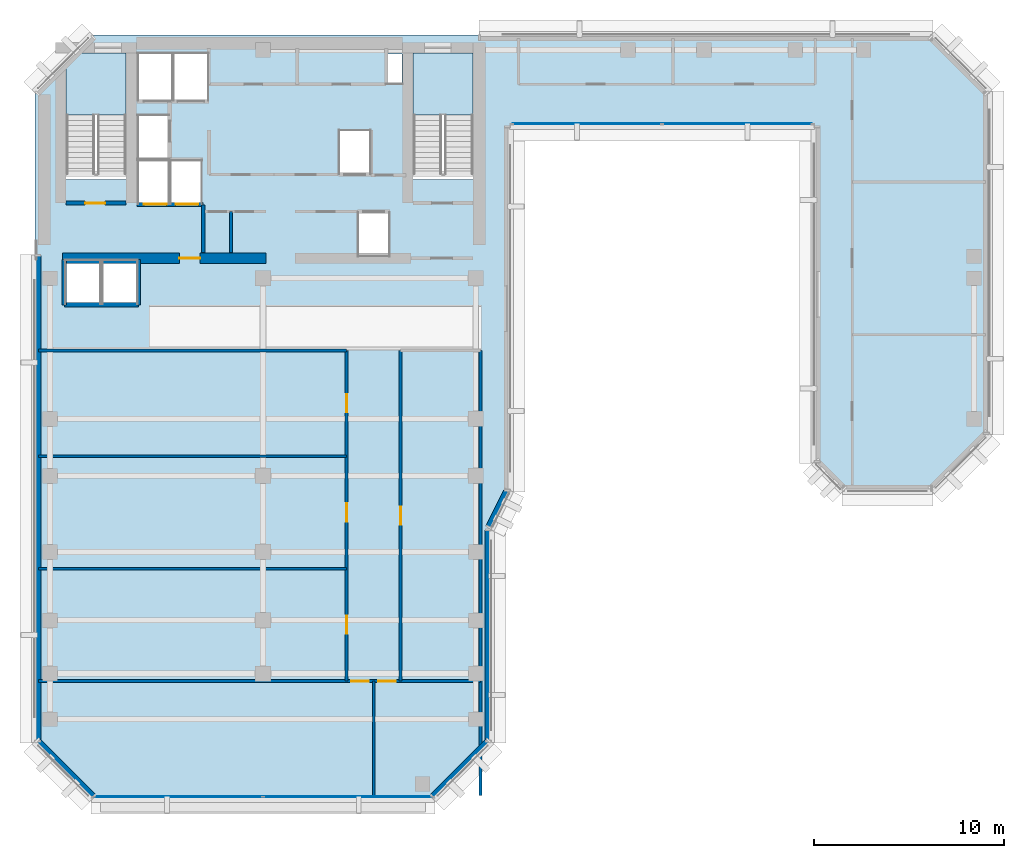
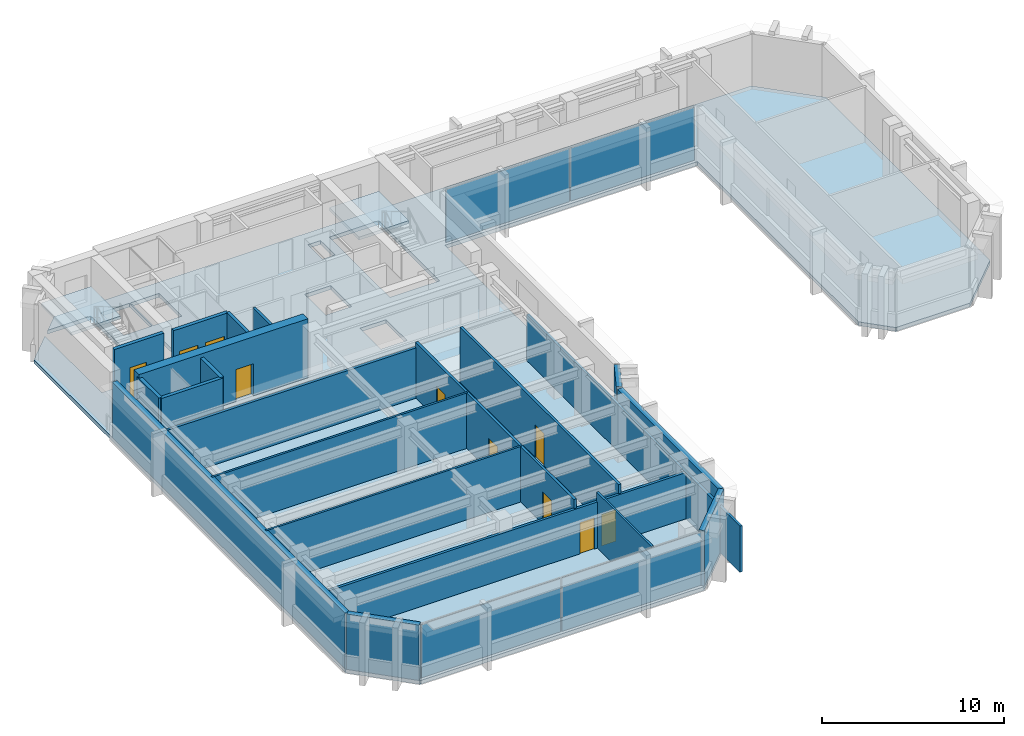
# One storey, part 5 of 11: 21 walls, 10 doors, 4 plates, 3 slabs, 10 openings, 4 elements without a shape of their own.
"""IFC4 building model written with IfcOpenShell, lengths in metres."""

from ifc_helpers import new_model, si_unit, direction, frame, frame_2d, origin, origin_2d, place, context, subcontext, project, spatial, polyline, rectangle, outline, extrude, material, layer, layer_set, type_object, element, fill, aggregate, save


model = new_model("IFC4")

# Units and contexts
model_context = context("Model", 3, precision=1e-05, world=origin(), true_north=direction((0.0, 1.0)))
body_context = subcontext(model_context, "Body", "Model", "MODEL_VIEW")
ifc_project = project(units=[si_unit("LENGTHUNIT", "METRE"), si_unit("AREAUNIT", "SQUARE_METRE"), si_unit("VOLUMEUNIT", "CUBIC_METRE"), si_unit("PLANEANGLEUNIT", "RADIAN"), si_unit("MASSUNIT", "GRAM", prefix="KILO")], contexts=[model_context])

# Site, building, storey
site_placement = place(None, origin())
site = spatial("IfcSite", under=ifc_project, at=site_placement, CompositionType="ELEMENT")
building_placement = place(site_placement, origin())
building = spatial("IfcBuilding", under=site, at=building_placement, Name="Kefirva Bronze Tower", CompositionType="ELEMENT")
storey_placement = place(building_placement, frame((0.0, 0.0, 223.739990234375)))
storey = spatial("IfcBuildingStorey", under=building, at=storey_placement, Name="L54", CompositionType="ELEMENT", Elevation=223.739990234375)

# Stair, slab
ifc_material_1 = material(Name="Concrete C40/50", Category="concrete")
stair_type = type_object("IfcStairType", Name="RC Dogleg Protected Stair 24R", PredefinedType="HALF_TURN_STAIR", material=ifc_material_1)
stair_1_placement = place(storey_placement, origin())
stair_1 = element("IfcStair", 1, at=stair_1_placement, inside=storey, type_object=stair_type, Name="L54 Protected Exit Stair 1", PredefinedType="HALF_TURN_STAIR")
ifc_layer_1 = layer(ifc_material_1, 0.199951171875, Name="Concrete C40/50")
ifc_layer_set_1 = layer_set([ifc_layer_1], Name="Concrete C40/50")
slab_type_1 = type_object("IfcSlabType", Name="RC Stair Landing Slab 200mm", PredefinedType="LANDING", material=ifc_layer_set_1)
slab_1_placement = place(storey_placement, frame((0.0, 0.0, 1.780029296875)))
slab_1 = element("IfcSlab", 2, at=slab_1_placement, type_object=slab_type_1, Name="ST-1 landing 1", PredefinedType="LANDING", context=body_context, shape_type="SweptSolid", body=[
    extrude(outline(polyline([(4.800048828125, 41.780029296875), (4.800048828125, 45.050048828125), (1.64990234375, 45.050048828125), (1.64990234375, 41.780029296875), (4.800048828125, 41.780029296875)])), origin(), (0.0, 0.0, 1.0), 0.199951171875),
])
aggregate(stair_1, [slab_1])

stair_2_placement = place(storey_placement, origin())
stair_2 = element("IfcStair", 3, at=stair_2_placement, inside=storey, type_object=stair_type, Name="L54 Protected Exit Stair 2", PredefinedType="HALF_TURN_STAIR")
slab_2_placement = place(storey_placement, frame((0.0, 0.0, 1.780029296875)))
slab_2 = element("IfcSlab", 4, at=slab_2_placement, type_object=slab_type_1, Name="ST-2 landing 1", PredefinedType="LANDING", context=body_context, shape_type="SweptSolid", body=[
    extrude(outline(polyline([(23.050048828125, 41.780029296875), (23.050048828125, 45.050048828125), (19.89990234375, 45.050048828125), (19.89990234375, 41.780029296875), (23.050048828125, 41.780029296875)])), origin(), (0.0, 0.0, 1.0), 0.199951171875),
])
aggregate(stair_2, [slab_2])

# Slab
ifc_layer_2 = layer(ifc_material_1, 0.25, Name="Concrete C40/50")
ifc_layer_set_2 = layer_set([ifc_layer_2], Name="Concrete C40/50")
slab_type_2 = type_object("IfcSlabType", Name="RC Tower Floor Slab 250mm", PredefinedType="FLOOR", material=ifc_layer_set_2)
slab_3_placement = place(storey_placement, frame((0.0, 0.0, -0.25)))
element("IfcSlab", 5, at=slab_3_placement, inside=storey, type_object=slab_type_2, Name="L54 Structural Floor Slab", PredefinedType="FLOOR", context=body_context, shape_type="SweptSolid", body=[
    extrude(outline(polyline([(0.0, 8.800048828125), (0.0, 43.0), (1.64990234375, 44.64990234375), (1.64990234375, 38.39990234375), (4.800048828125, 38.39990234375), (4.800048828125, 45.050048828125), (2.050048828125, 45.050048828125), (3.0, 46.0), (47.199951171875, 46.0), (50.199951171875, 43.0), (50.199951171875, 25.0), (47.199951171875, 22.0), (42.5, 22.0), (41.0, 23.5), (41.0, 41.199951171875), (25.0, 41.199951171875), (25.0, 22.0), (24.0, 20.0), (24.0, 8.800048828125), (21.0, 5.800048828125), (3.0, 5.800048828125), (0.0, 8.800048828125)]), holes=[polyline([(23.050048828125, 45.050048828125), (19.89990234375, 45.050048828125), (19.89990234375, 38.39990234375), (23.050048828125, 38.39990234375), (23.050048828125, 45.050048828125)]), polyline([(19.320068359375, 43.419921875), (19.320068359375, 45.0), (18.52001953125, 45.0), (18.52001953125, 43.419921875), (19.320068359375, 43.419921875)]), polyline([(18.64990234375, 36.64990234375), (17.0, 36.64990234375), (17.0, 34.35009765625), (18.64990234375, 34.35009765625), (18.64990234375, 36.64990234375)]), polyline([(17.64990234375, 38.679931640625), (17.64990234375, 40.97998046875), (16.0, 40.97998046875), (16.0, 38.679931640625), (17.64990234375, 38.679931640625)]), polyline([(9.1201171875, 42.550048828125), (9.1201171875, 45.050048828125), (7.300048828125, 45.050048828125), (7.300048828125, 42.550048828125), (9.1201171875, 42.550048828125)]), polyline([(8.780029296875, 37.10009765625), (8.780029296875, 39.39990234375), (7.139892578125, 39.39990234375), (7.139892578125, 37.10009765625), (8.780029296875, 37.10009765625)]), polyline([(7.239990234375, 42.550048828125), (7.239990234375, 45.050048828125), (5.419921875, 45.050048828125), (5.419921875, 42.550048828125), (7.239990234375, 42.550048828125)]), polyline([(7.06005859375, 37.10009765625), (7.06005859375, 39.39990234375), (5.419921875, 39.39990234375), (5.419921875, 37.10009765625), (7.06005859375, 37.10009765625)]), polyline([(7.06005859375, 41.780029296875), (5.419921875, 41.780029296875), (5.419921875, 39.47998046875), (7.06005859375, 39.47998046875), (7.06005859375, 41.780029296875)]), polyline([(5.39990234375, 31.85009765625), (5.39990234375, 34.14990234375), (3.550048828125, 34.14990234375), (3.550048828125, 31.85009765625), (5.39990234375, 31.85009765625)]), polyline([(3.449951171875, 34.14990234375), (1.60009765625, 34.14990234375), (1.60009765625, 31.85009765625), (3.449951171875, 31.85009765625), (3.449951171875, 34.14990234375)])]), origin(), (0.0, 0.0, 1.0), 0.25),
])

# Curtain wall, plates
ifc_material_2 = material(Name="Bronze anodised aluminium", Category="aluminium")
ifc_layer_3 = layer(ifc_material_2, 0.179931640625, Name="Bronze anodised aluminium")
ifc_layer_set_3 = layer_set([ifc_layer_3], Name="Bronze anodised aluminium")
curtain_wall_type = type_object("IfcCurtainWallType", Name="Unitised Bronze Ribbon Curtain Wall Zone 3", PredefinedType="USERDEFINED", material=ifc_layer_set_3)
curtain_wall_1_placement = place(storey_placement, origin())
curtain_wall_1 = element("IfcCurtainWall", 6, at=curtain_wall_1_placement, inside=storey, type_object=curtain_wall_type, Name="L54 Curtain Wall 1", ObjectType="UNITISED CURTAIN WALL", PredefinedType="USERDEFINED")
ifc_material_3 = material(Name="Laminated low-E double glazing", Category="glass")
ifc_layer_4 = layer(ifc_material_3, 0.031982421875, Name="Laminated low-E double glazing")
ifc_layer_set_4 = layer_set([ifc_layer_4], Name="Laminated low-E double glazing")
plate_type = type_object("IfcPlateType", Name="Solar-Control Low-E Vision Panel 32mm", PredefinedType="CURTAIN_PANEL", material=ifc_layer_set_4)
plate_1_placement = place(storey_placement, frame((7.546142578125, 5.919921875, 0.074951171875), z_axis=(0.0, 0.0, 1.0), x_axis=(1.0, 0.0, 0.0)))
plate_1 = element("IfcPlate", 7, at=plate_1_placement, type_object=plate_type, Name="CW-03 panel 1.1", PredefinedType="CURTAIN_PANEL", context=body_context, shape_type="SweptSolid", body=[
    extrude(rectangle(XDim=8.83251953125, YDim=0.031982421875, at=origin_2d()), origin(), (0.0, 0.0, 1.0), 3.56005859375),
])
plate_2_placement = place(storey_placement, frame((16.453857421875, 5.919921875, 0.074951171875), z_axis=(0.0, 0.0, 1.0), x_axis=(1.0, 0.0, 0.0)))
plate_2 = element("IfcPlate", 8, at=plate_2_placement, type_object=plate_type, Name="CW-03 panel 2.1", PredefinedType="CURTAIN_PANEL", context=body_context, shape_type="SweptSolid", body=[
    extrude(rectangle(XDim=8.83251953125, YDim=0.031982421875, at=origin_2d()), origin(), (0.0, 0.0, 1.0), 3.56005859375),
])
aggregate(curtain_wall_1, [plate_1, plate_2])

curtain_wall_2_placement = place(storey_placement, origin())
curtain_wall_2 = element("IfcCurtainWall", 9, at=curtain_wall_2_placement, inside=storey, type_object=curtain_wall_type, Name="L54 Curtain Wall 2", ObjectType="UNITISED CURTAIN WALL", PredefinedType="USERDEFINED")
plate_3_placement = place(storey_placement, frame((29.046142578125, 41.320068359375, 0.074951171875), z_axis=(0.0, 0.0, 1.0), x_axis=(1.0, 0.0, 0.0)))
plate_3 = element("IfcPlate", 10, at=plate_3_placement, type_object=plate_type, Name="CW-03 panel 1.1", PredefinedType="CURTAIN_PANEL", context=body_context, shape_type="SweptSolid", body=[
    extrude(rectangle(XDim=7.83251953125, YDim=0.031982421875, at=origin_2d()), origin(), (0.0, 0.0, 1.0), 3.56005859375),
])
plate_4_placement = place(storey_placement, frame((36.953857421875, 41.320068359375, 0.074951171875), z_axis=(0.0, 0.0, 1.0), x_axis=(1.0, 0.0, 0.0)))
plate_4 = element("IfcPlate", 11, at=plate_4_placement, type_object=plate_type, Name="CW-03 panel 2.1", PredefinedType="CURTAIN_PANEL", context=body_context, shape_type="SweptSolid", body=[
    extrude(rectangle(XDim=7.83251953125, YDim=0.031982421875, at=origin_2d()), origin(), (0.0, 0.0, 1.0), 3.56005859375),
])
aggregate(curtain_wall_2, [plate_3, plate_4])

# Walls
ifc_material_4 = material(Name="Gypsum acoustic partition")
ifc_layer_5 = layer(ifc_material_4, 0.1298828125, Name="Gypsum acoustic partition")
ifc_layer_set_5 = layer_set([ifc_layer_5], Name="Gypsum acoustic partition")
wall_type_1 = type_object("IfcWallType", Name="Acoustic Office Partition 130mm", PredefinedType="PARTITIONING", material=ifc_layer_set_5)
wall_1_placement = place(storey_placement, frame((17.820068359375, 5.989990234375, 0.0), z_axis=(0.0, 0.0, 1.0), x_axis=(0.0, 1.0, 0.0)))
element("IfcWall", 12, at=wall_1_placement, inside=storey, type_object=wall_type_1, Name="L54 Partition W-L54-CAPDV", PredefinedType="PARTITIONING", context=body_context, shape_type="SweptSolid", body=[
    extrude(rectangle(XDim=6.010009765625, YDim=0.1298828125, at=frame_2d((3.0048828125, 0.0))), origin(), (0.0, 0.0, 1.0), 3.7099609375),
])
for number, where, z_axis, x_axis, name in (
    (13, (0.18994140625, 17.916015625, 0.0), (0.0, 0.0, 1.0), (1.0, 0.0, 0.0), "L54 Partition W-L54-SWD1"),
    (14, (0.18994140625, 23.83203125, 0.0), (0.0, 0.0, 1.0), (1.0, 0.0, 0.0), "L54 Partition W-L54-SWD2"),
):
    element("IfcWall", number, at=place(storey_placement, frame(where, z_axis=z_axis, x_axis=x_axis)), inside=storey, type_object=wall_type_1, Name=name, PredefinedType="PARTITIONING", context=body_context, shape_type="SweptSolid", body=[
        extrude(rectangle(XDim=16.2099609375, YDim=0.1298828125, at=frame_2d((8.10498046875, 0.0))), origin(), (0.0, 0.0, 1.0), 3.7099609375),
    ])

# Wall, opening, door
ifc_material_5 = material(Name="Gypsum fireboard shaftwall")
ifc_layer_6 = layer(ifc_material_5, 0.219970703125, Name="Gypsum fireboard shaftwall")
ifc_layer_set_6 = layer_set([ifc_layer_6], Name="Gypsum fireboard shaftwall")
wall_type_2 = type_object("IfcWallType", Name="Fire-Rated Shaft Enclosure Wall 220mm", PredefinedType="PARTITIONING", material=ifc_layer_set_6)
wall_2_placement = place(storey_placement, frame((1.64990234375, 37.14990234375, 0.0), z_axis=(0.0, 0.0, 1.0), x_axis=(1.0, 0.0, 0.0)))
wall_2 = element("IfcWall", 15, at=wall_2_placement, inside=storey, type_object=wall_type_2, Name="L54 Partition W-L54-ST1S", PredefinedType="PARTITIONING", context=body_context, shape_type="SweptSolid", body=[
    extrude(rectangle(XDim=3.150146484375, YDim=0.219970703125, at=frame_2d((1.5751953125, 0.0))), origin(), (0.0, 0.0, 1.0), 3.7099609375),
])
opening_1_placement = place(wall_2_placement, frame((2.050048828125, 0.0, 0.0), z_axis=(0.0, 0.0, 1.0), x_axis=(-1.0, 0.0, 0.0)))
opening_1 = element("IfcOpeningElement", 16, at=opening_1_placement, cuts=wall_2, Name="Opening L54-D001", PredefinedType="OPENING", context=body_context, shape_type="SweptSolid", body=[
    extrude(rectangle(XDim=1.050048828125, YDim=2.14990234375, at=frame_2d((0.52490234375, 1.074951171875))), frame((0.0, 0.1201171875, 0.0), z_axis=(0.0, -1.0, 0.0), x_axis=(1.0, 0.0, 0.0)), (0.0, 0.0, 1.0), 0.239990234375),
])
ifc_material_6 = material(Name="Painted galvanized steel", Category="steel")
door_type_1 = type_object("IfcDoorType", Name="Fire Stair Enclosure Door 1050x2150 FD90S", OperationType="NOTDEFINED", PredefinedType="DOOR", material=ifc_material_6)
door_1_placement = place(opening_1_placement, origin())
door_1 = element("IfcDoor", 17, at=door_1_placement, inside=storey, type_object=door_type_1, Name="Door L54-D001", OperationType="SINGLE_SWING_RIGHT", OverallHeight=2.14990234375, OverallWidth=1.050048828125, PredefinedType="DOOR", context=body_context, shape_type="SweptSolid", body=[
    extrude(rectangle(XDim=1.050048828125, YDim=2.14990234375, at=frame_2d((0.52490234375, 1.074951171875))), frame((0.0, 0.02490234375, 0.0), z_axis=(0.0, -1.0, 0.0), x_axis=(1.0, 0.0, 0.0)), (0.0, 0.0, 1.0), 0.050048828125),
])
fill(opening_1, door_1)

# Wall, openings, doors
wall_3_placement = place(storey_placement, frame((5.3798828125, 37.080078125, 0.0), z_axis=(0.0, 0.0, 1.0), x_axis=(1.0, 0.0, 0.0)))
wall_3 = element("IfcWall", 18, at=wall_3_placement, inside=storey, type_object=wall_type_2, Name="L54 Partition W-L54-FFS", PredefinedType="PARTITIONING", context=body_context, shape_type="SweptSolid", body=[
    extrude(rectangle(XDim=3.460205078125, YDim=0.219970703125, at=frame_2d((1.72998046875, 0.0))), origin(), (0.0, 0.0, 1.0), 3.7099609375),
])
opening_2_placement = place(wall_3_placement, frame((1.550048828125, 0.0, 0.0), z_axis=(0.0, 0.0, 1.0), x_axis=(-1.0, 0.0, 0.0)))
opening_2 = element("IfcOpeningElement", 19, at=opening_2_placement, cuts=wall_3, Name="Opening L54-LD-FF1", PredefinedType="OPENING", context=body_context, shape_type="SweptSolid", body=[
    extrude(rectangle(XDim=1.199951171875, YDim=2.199951171875, at=frame_2d((0.60009765625, 1.10009765625))), frame((0.0, 0.1201171875, 0.0), z_axis=(0.0, -1.0, 0.0), x_axis=(1.0, 0.0, 0.0)), (0.0, 0.0, 1.0), 0.239990234375),
])
opening_3_placement = place(wall_3_placement, frame((3.219970703125, 0.0, 0.0), z_axis=(0.0, 0.0, 1.0), x_axis=(-1.0, 0.0, 0.0)))
opening_3 = element("IfcOpeningElement", 20, at=opening_3_placement, cuts=wall_3, Name="Opening L54-LD-FF2", PredefinedType="OPENING", context=body_context, shape_type="SweptSolid", body=[
    extrude(rectangle(XDim=1.199951171875, YDim=2.199951171875, at=frame_2d((0.60009765625, 1.10009765625))), frame((0.0, 0.1201171875, 0.0), z_axis=(0.0, -1.0, 0.0), x_axis=(1.0, 0.0, 0.0)), (0.0, 0.0, 1.0), 0.239990234375),
])
ifc_material_7 = material(Name="Stainless steel 316", Category="steel")
door_type_2 = type_object("IfcDoorType", Name="Firefighting Lift Sliding Door 1200x2200", OperationType="SLIDING_TO_RIGHT", PredefinedType="DOOR", material=ifc_material_7)
door_2_placement = place(opening_2_placement, origin())
door_2 = element("IfcDoor", 21, at=door_2_placement, inside=storey, type_object=door_type_2, Name="Door L54-LD-FF1", OperationType="SLIDING_TO_RIGHT", OverallHeight=2.199951171875, OverallWidth=1.199951171875, PredefinedType="DOOR", context=body_context, shape_type="SweptSolid", body=[
    extrude(rectangle(XDim=1.199951171875, YDim=2.199951171875, at=frame_2d((0.60009765625, 1.10009765625))), frame((0.0, 0.02490234375, 0.0), z_axis=(0.0, -1.0, 0.0), x_axis=(1.0, 0.0, 0.0)), (0.0, 0.0, 1.0), 0.050048828125),
])
fill(opening_2, door_2)
door_3_placement = place(opening_3_placement, origin())
door_3 = element("IfcDoor", 22, at=door_3_placement, inside=storey, type_object=door_type_2, Name="Door L54-LD-FF2", OperationType="SLIDING_TO_RIGHT", OverallHeight=2.199951171875, OverallWidth=1.199951171875, PredefinedType="DOOR", context=body_context, shape_type="SweptSolid", body=[
    extrude(rectangle(XDim=1.199951171875, YDim=2.199951171875, at=frame_2d((0.60009765625, 1.10009765625))), frame((0.0, 0.02490234375, 0.0), z_axis=(0.0, -1.0, 0.0), x_axis=(1.0, 0.0, 0.0)), (0.0, 0.0, 1.0), 0.050048828125),
])
fill(opening_3, door_3)

# Walls
wall_4_placement = place(storey_placement, frame((1.550048828125, 31.800048828125, 0.0), z_axis=(0.0, 0.0, 1.0), x_axis=(1.0, 0.0, 0.0)))
element("IfcWall", 23, at=wall_4_placement, inside=storey, type_object=wall_type_2, Name="L54 Partition W-L54-OBS", PredefinedType="PARTITIONING", context=body_context, shape_type="SweptSolid", body=[
    extrude(rectangle(XDim=3.89990234375, YDim=0.219970703125, at=frame_2d((1.949951171875, 0.0))), origin(), (0.0, 0.0, 1.0), 3.7099609375),
])
for number, where, z_axis, x_axis, name in (
    (24, (1.550048828125, 31.800048828125, 0.0), (0.0, 0.0, 1.0), (0.0, 1.0, 0.0), "L54 Partition W-L54-OBW"),
    (25, (5.449951171875, 31.800048828125, 0.0), (0.0, 0.0, 1.0), (0.0, 1.0, 0.0), "L54 Partition W-L54-OBE"),
):
    element("IfcWall", number, at=place(storey_placement, frame(where, z_axis=z_axis, x_axis=x_axis)), inside=storey, type_object=wall_type_2, Name=name, PredefinedType="PARTITIONING", context=body_context, shape_type="SweptSolid", body=[
        extrude(rectangle(XDim=2.3798828125, YDim=0.219970703125, at=frame_2d((1.18994140625, 0.0))), origin(), (0.0, 0.0, 1.0), 3.7099609375),
    ])
ifc_material_8 = material(Name="Gypsum fireboard barrier")
ifc_layer_7 = layer(ifc_material_8, 0.199951171875, Name="Gypsum fireboard barrier")
ifc_layer_set_7 = layer_set([ifc_layer_7], Name="Gypsum fireboard barrier")
wall_type_3 = type_object("IfcWallType", Name="Firefighting Lobby Barrier Wall 200mm", PredefinedType="PARTITIONING", material=ifc_layer_set_7)
wall_5_placement = place(storey_placement, frame((8.860107421875, 34.550048828125, 0.0), z_axis=(0.0, 0.0, 1.0), x_axis=(0.0, 1.0, 0.0)))
element("IfcWall", 26, at=wall_5_placement, inside=storey, type_object=wall_type_3, Name="L54 Partition W-L54-FFLE", PredefinedType="PARTITIONING", context=body_context, shape_type="SweptSolid", body=[
    extrude(rectangle(XDim=2.5, YDim=0.199951171875, at=frame_2d((1.25, 0.0))), origin(), (0.0, 0.0, 1.0), 3.7099609375),
])
ifc_material_9 = material(Name="Precast concrete C40/50", Category="concrete")
ifc_layer_8 = layer(ifc_material_9, 0.320068359375, Name="Precast concrete C40/50")
ifc_layer_set_8 = layer_set([ifc_layer_8], Name="Precast concrete C40/50")
wall_type_4 = type_object("IfcWallType", Name="Precast Insulated Exterior Wall 320mm", PredefinedType="SOLIDWALL", material=ifc_layer_set_8)
wall_6_placement = place(storey_placement, frame((20.92578125, 5.951904296875, 0.0), z_axis=(0.0, 0.0, 1.0), x_axis=(0.707077242712, 0.707136318428, 0.0)))
element("IfcWall", 27, at=wall_6_placement, inside=storey, type_object=wall_type_4, Name="L54 Exterior Facade Wall 1", PredefinedType="SOLIDWALL", context=body_context, shape_type="SweptSolid", body=[
    extrude(rectangle(XDim=4.132568359375, YDim=0.320068359375, at=frame_2d((2.06640625, 0.0))), origin(), (0.0, 0.0, 1.0), 3.7099609375),
])
wall_7_placement = place(storey_placement, frame((23.840087890625, 8.85498046875, 0.0), z_axis=(0.0, 0.0, 1.0), x_axis=(0.0, 1.0, 0.0)))
element("IfcWall", 28, at=wall_7_placement, inside=storey, type_object=wall_type_4, Name="L54 Exterior Facade Wall 2", PredefinedType="SOLIDWALL", context=body_context, shape_type="SweptSolid", body=[
    extrude(rectangle(XDim=11.090087890625, YDim=0.320068359375, at=frame_2d((5.544921875, 0.0))), origin(), (0.0, 0.0, 1.0), 3.7099609375),
])
wall_8_placement = place(storey_placement, frame((23.881591796875, 20.12060546875, 0.0), z_axis=(0.0, 0.0, 1.0), x_axis=(0.447121734542, 0.894473115583, 0.0)))
element("IfcWall", 29, at=wall_8_placement, inside=storey, type_object=wall_type_4, Name="L54 Exterior Facade Wall 3", PredefinedType="SOLIDWALL", context=body_context, shape_type="SweptSolid", body=[
    extrude(rectangle(XDim=2.126220703125, YDim=0.320068359375, at=frame_2d((1.06298828125, 0.0))), origin(), (0.0, 0.0, 1.0), 3.7099609375),
])
wall_9_placement = place(storey_placement, frame((0.159912109375, 34.39501953125, 0.0), z_axis=(0.0, 0.0, 1.0), x_axis=(0.0, -1.0, 0.0)))
element("IfcWall", 30, at=wall_9_placement, inside=storey, type_object=wall_type_4, Name="L54 Exterior Facade Wall 13", PredefinedType="SOLIDWALL", context=body_context, shape_type="SweptSolid", body=[
    extrude(rectangle(XDim=25.5400390625, YDim=0.320068359375, at=frame_2d((12.77001953125, 0.0))), origin(), (0.0, 0.0, 1.0), 3.7099609375),
])
wall_10_placement = place(storey_placement, frame((0.152099609375, 8.874267578125, 0.0), z_axis=(0.0, 0.0, 1.0), x_axis=(0.707077242712, -0.707136318428, 0.0)))
element("IfcWall", 31, at=wall_10_placement, inside=storey, type_object=wall_type_4, Name="L54 Exterior Facade Wall 14", PredefinedType="SOLIDWALL", context=body_context, shape_type="SweptSolid", body=[
    extrude(rectangle(XDim=4.132568359375, YDim=0.320068359375, at=frame_2d((2.06640625, 0.0))), origin(), (0.0, 0.0, 1.0), 3.7099609375),
])
ifc_layer_9 = layer(ifc_material_4, 0.159912109375, Name="Gypsum acoustic partition")
ifc_layer_set_9 = layer_set([ifc_layer_9], Name="Gypsum acoustic partition")
wall_type_5 = type_object("IfcWallType", Name="Protected Corridor Partition 160mm", PredefinedType="PARTITIONING", material=ifc_layer_set_9)
wall_11_placement = place(storey_placement, frame((10.320068359375, 34.550048828125, 0.0), z_axis=(0.0, 0.0, 1.0), x_axis=(0.0, 1.0, 0.0)))
element("IfcWall", 32, at=wall_11_placement, inside=storey, type_object=wall_type_5, Name="L54 Partition W-L54-RECLP1D", PredefinedType="PARTITIONING", context=body_context, shape_type="SweptSolid", body=[
    extrude(rectangle(XDim=2.14990234375, YDim=0.159912109375, at=frame_2d((1.074951171875, 0.0))), origin(), (0.0, 0.0, 1.0), 3.7099609375),
])

# Wall, openings, doors
wall_12_placement = place(storey_placement, frame((16.39990234375, 12.0, 0.0), z_axis=(0.0, 0.0, 1.0), x_axis=(0.0, 1.0, 0.0)))
wall_12 = element("IfcWall", 33, at=wall_12_placement, inside=storey, type_object=wall_type_5, Name="L54 Partition W-L54-SWCORW", PredefinedType="PARTITIONING", context=body_context, shape_type="SweptSolid", body=[
    extrude(rectangle(XDim=17.39990234375, YDim=0.159912109375, at=frame_2d((8.699951171875, 0.0))), origin(), (0.0, 0.0, 1.0), 3.7099609375),
])
opening_4_placement = place(wall_12_placement, frame((3.432861328125, 0.0, 0.0), z_axis=(0.0, 0.0, 1.0), x_axis=(-1.0, 0.0, 0.0)))
opening_4 = element("IfcOpeningElement", 34, at=opening_4_placement, cuts=wall_12, Name="Opening L54-D-SW1", PredefinedType="OPENING", context=body_context, shape_type="SweptSolid", body=[
    extrude(rectangle(XDim=0.949951171875, YDim=2.14990234375, at=frame_2d((0.47509765625, 1.074951171875))), frame((0.0, 0.08984375, 0.0), z_axis=(0.0, -1.0, 0.0), x_axis=(1.0, 0.0, 0.0)), (0.0, 0.0, 1.0), 0.179931640625),
])
opening_5_placement = place(wall_12_placement, frame((9.348876953125, 0.0, 0.0), z_axis=(0.0, 0.0, 1.0), x_axis=(-1.0, 0.0, 0.0)))
opening_5 = element("IfcOpeningElement", 35, at=opening_5_placement, cuts=wall_12, Name="Opening L54-D-SW2", PredefinedType="OPENING", context=body_context, shape_type="SweptSolid", body=[
    extrude(rectangle(XDim=0.949951171875, YDim=2.14990234375, at=frame_2d((0.47509765625, 1.074951171875))), frame((0.0, 0.08984375, 0.0), z_axis=(0.0, -1.0, 0.0), x_axis=(1.0, 0.0, 0.0)), (0.0, 0.0, 1.0), 0.179931640625),
])
opening_6_placement = place(wall_12_placement, frame((15.091064453125, 0.0, 0.0), z_axis=(0.0, 0.0, 1.0), x_axis=(-1.0, 0.0, 0.0)))
opening_6 = element("IfcOpeningElement", 36, at=opening_6_placement, cuts=wall_12, Name="Opening L54-D-SW3", PredefinedType="OPENING", context=body_context, shape_type="SweptSolid", body=[
    extrude(rectangle(XDim=0.949951171875, YDim=2.14990234375, at=frame_2d((0.47509765625, 1.074951171875))), frame((0.0, 0.08984375, 0.0), z_axis=(0.0, -1.0, 0.0), x_axis=(1.0, 0.0, 0.0)), (0.0, 0.0, 1.0), 0.179931640625),
])
ifc_material_10 = material(Name="Acoustic hardwood oak", Category="wood")
door_type_3 = type_object("IfcDoorType", Name="Office & Meeting Room Door 950x2150", OperationType="NOTDEFINED", PredefinedType="DOOR", material=ifc_material_10)
door_4_placement = place(opening_4_placement, origin())
door_4 = element("IfcDoor", 37, at=door_4_placement, inside=storey, type_object=door_type_3, Name="Door L54-D-SW1", OperationType="SINGLE_SWING_RIGHT", OverallHeight=2.14990234375, OverallWidth=0.949951171875, PredefinedType="DOOR", context=body_context, shape_type="SweptSolid", body=[
    extrude(rectangle(XDim=0.949951171875, YDim=2.14990234375, at=frame_2d((0.47509765625, 1.074951171875))), frame((0.0, 0.02490234375, 0.0), z_axis=(0.0, -1.0, 0.0), x_axis=(1.0, 0.0, 0.0)), (0.0, 0.0, 1.0), 0.050048828125),
])
fill(opening_4, door_4)
door_5_placement = place(opening_5_placement, origin())
door_5 = element("IfcDoor", 38, at=door_5_placement, inside=storey, type_object=door_type_3, Name="Door L54-D-SW2", OperationType="SINGLE_SWING_LEFT", OverallHeight=2.14990234375, OverallWidth=0.949951171875, PredefinedType="DOOR", context=body_context, shape_type="SweptSolid", body=[
    extrude(rectangle(XDim=0.949951171875, YDim=2.14990234375, at=frame_2d((0.47509765625, 1.074951171875))), frame((0.0, 0.02490234375, 0.0), z_axis=(0.0, -1.0, 0.0), x_axis=(1.0, 0.0, 0.0)), (0.0, 0.0, 1.0), 0.050048828125),
])
fill(opening_5, door_5)
door_6_placement = place(opening_6_placement, origin())
door_6 = element("IfcDoor", 39, at=door_6_placement, inside=storey, type_object=door_type_3, Name="Door L54-D-SW3", OperationType="SINGLE_SWING_RIGHT", OverallHeight=2.14990234375, OverallWidth=0.949951171875, PredefinedType="DOOR", context=body_context, shape_type="SweptSolid", body=[
    extrude(rectangle(XDim=0.949951171875, YDim=2.14990234375, at=frame_2d((0.47509765625, 1.074951171875))), frame((0.0, 0.02490234375, 0.0), z_axis=(0.0, -1.0, 0.0), x_axis=(1.0, 0.0, 0.0)), (0.0, 0.0, 1.0), 0.050048828125),
])
fill(opening_6, door_6)

# Wall, opening, door
wall_13_placement = place(storey_placement, frame((19.239990234375, 12.0, 0.0), z_axis=(0.0, 0.0, 1.0), x_axis=(0.0, 1.0, 0.0)))
wall_13 = element("IfcWall", 40, at=wall_13_placement, inside=storey, type_object=wall_type_5, Name="L54 Partition W-L54-SECORE", PredefinedType="PARTITIONING", context=body_context, shape_type="SweptSolid", body=[
    extrude(rectangle(XDim=17.39990234375, YDim=0.159912109375, at=frame_2d((8.699951171875, 0.0))), origin(), (0.0, 0.0, 1.0), 3.7099609375),
])
opening_7_placement = place(wall_13_placement, frame((8.22509765625, 0.0, 0.0)))
opening_7 = element("IfcOpeningElement", 41, at=opening_7_placement, cuts=wall_13, Name="Opening L54-D-SE1", PredefinedType="OPENING", context=body_context, shape_type="SweptSolid", body=[
    extrude(rectangle(XDim=0.949951171875, YDim=2.14990234375, at=frame_2d((0.47509765625, 1.074951171875))), frame((0.0, 0.08984375, 0.0), z_axis=(0.0, -1.0, 0.0), x_axis=(1.0, 0.0, 0.0)), (0.0, 0.0, 1.0), 0.179931640625),
])
door_7_placement = place(opening_7_placement, origin())
door_7 = element("IfcDoor", 42, at=door_7_placement, inside=storey, type_object=door_type_3, Name="Door L54-D-SE1", OperationType="SINGLE_SWING_LEFT", OverallHeight=2.14990234375, OverallWidth=0.949951171875, PredefinedType="DOOR", context=body_context, shape_type="SweptSolid", body=[
    extrude(rectangle(XDim=0.949951171875, YDim=2.14990234375, at=frame_2d((0.47509765625, 1.074951171875))), frame((0.0, 0.02490234375, 0.0), z_axis=(0.0, -1.0, 0.0), x_axis=(1.0, 0.0, 0.0)), (0.0, 0.0, 1.0), 0.050048828125),
])
fill(opening_7, door_7)

# Wall, openings, doors
wall_14_placement = place(storey_placement, frame((0.18994140625, 12.0, 0.0), z_axis=(0.0, 0.0, 1.0), x_axis=(1.0, 0.0, 0.0)))
wall_14 = element("IfcWall", 43, at=wall_14_placement, inside=storey, type_object=wall_type_5, Name="L54 Partition W-L54-SBEND", PredefinedType="PARTITIONING", context=body_context, shape_type="SweptSolid", body=[
    extrude(rectangle(XDim=23.260009765625, YDim=0.159912109375, at=frame_2d((11.6298828125, 0.0))), origin(), (0.0, 0.0, 1.0), 3.094970703125),
])
opening_8_placement = place(wall_14_placement, frame((16.4599609375, 0.0, 0.0)))
opening_8 = element("IfcOpeningElement", 44, at=opening_8_placement, cuts=wall_14, Name="Opening L54-D-SEND1", PredefinedType="OPENING", context=body_context, shape_type="SweptSolid", body=[
    extrude(rectangle(XDim=0.919921875, YDim=2.10009765625, at=frame_2d((0.4599609375, 1.050048828125))), frame((0.0, 0.08984375, 0.0), z_axis=(0.0, -1.0, 0.0), x_axis=(1.0, 0.0, 0.0)), (0.0, 0.0, 1.0), 0.179931640625),
])
opening_9_placement = place(wall_14_placement, frame((17.8798828125, 0.0, 0.0)))
opening_9 = element("IfcOpeningElement", 45, at=opening_9_placement, cuts=wall_14, Name="Opening L54-D-SEND2", PredefinedType="OPENING", context=body_context, shape_type="SweptSolid", body=[
    extrude(rectangle(XDim=0.919921875, YDim=2.10009765625, at=frame_2d((0.4599609375, 1.050048828125))), frame((0.0, 0.08984375, 0.0), z_axis=(0.0, -1.0, 0.0), x_axis=(1.0, 0.0, 0.0)), (0.0, 0.0, 1.0), 0.179931640625),
])
ifc_material_11 = material(Name="Moisture-resistant timber", Category="wood")
door_type_4 = type_object("IfcDoorType", Name="Accessible Sanitary & WC Door 920x2100", OperationType="NOTDEFINED", PredefinedType="DOOR", material=ifc_material_11)
door_8_placement = place(opening_8_placement, origin())
door_8 = element("IfcDoor", 46, at=door_8_placement, inside=storey, type_object=door_type_4, Name="Door L54-D-SEND1", OperationType="SINGLE_SWING_RIGHT", OverallHeight=2.10009765625, OverallWidth=0.919921875, PredefinedType="DOOR", context=body_context, shape_type="SweptSolid", body=[
    extrude(rectangle(XDim=0.919921875, YDim=2.10009765625, at=frame_2d((0.4599609375, 1.050048828125))), frame((0.0, 0.02490234375, 0.0), z_axis=(0.0, -1.0, 0.0), x_axis=(1.0, 0.0, 0.0)), (0.0, 0.0, 1.0), 0.050048828125),
])
fill(opening_8, door_8)
door_9_placement = place(opening_9_placement, origin())
door_9 = element("IfcDoor", 47, at=door_9_placement, inside=storey, type_object=door_type_4, Name="Door L54-D-SEND2", OperationType="SINGLE_SWING_LEFT", OverallHeight=2.10009765625, OverallWidth=0.919921875, PredefinedType="DOOR", context=body_context, shape_type="SweptSolid", body=[
    extrude(rectangle(XDim=0.919921875, YDim=2.10009765625, at=frame_2d((0.4599609375, 1.050048828125))), frame((0.0, 0.02490234375, 0.0), z_axis=(0.0, -1.0, 0.0), x_axis=(1.0, 0.0, 0.0)), (0.0, 0.0, 1.0), 0.050048828125),
])
fill(opening_9, door_9)

# Walls
wall_15_placement = place(storey_placement, frame((0.18994140625, 29.39990234375, 0.0), z_axis=(0.0, 0.0, 1.0), x_axis=(1.0, 0.0, 0.0)))
element("IfcWall", 48, at=wall_15_placement, inside=storey, type_object=wall_type_5, Name="L54 Partition W-L54-NWT", PredefinedType="PARTITIONING", context=body_context, shape_type="SweptSolid", body=[
    extrude(rectangle(XDim=16.2099609375, YDim=0.159912109375, at=frame_2d((8.10498046875, 0.0))), origin(), (0.0, 0.0, 1.0), 3.364990234375),
])
wall_16_placement = place(storey_placement, frame((23.449951171875, 5.989990234375, 0.0), z_axis=(0.0, 0.0, 1.0), x_axis=(0.0, 1.0, 0.0)))
element("IfcWall", 49, at=wall_16_placement, inside=storey, type_object=wall_type_5, Name="L54 Partition W-L54-SWEAST", PredefinedType="PARTITIONING", context=body_context, shape_type="SweptSolid", body=[
    extrude(rectangle(XDim=23.409912109375, YDim=0.159912109375, at=frame_2d((11.705078125, 0.0))), origin(), (0.0, 0.0, 1.0), 3.094970703125),
])

# Wall, opening, door
ifc_material_12 = material(Name="Concrete C50/60", Category="concrete")
ifc_layer_10 = layer(ifc_material_12, 0.64990234375, Name="Concrete C50/60")
ifc_layer_set_10 = layer_set([ifc_layer_10], Name="Concrete C50/60")
wall_type_6 = type_object("IfcWallType", Name="RC Rear Core Interior Wall 650mm", PredefinedType="SHEAR", material=ifc_layer_set_10)
wall_17_placement = place(storey_placement, frame((1.449951171875, 34.25, 0.0), z_axis=(0.0, 0.0, 1.0), x_axis=(1.0, 0.0, 0.0)))
wall_17 = element("IfcWall", 50, at=wall_17_placement, inside=storey, type_object=wall_type_6, Name="L54 Rear Core South-West Shear Wall", PredefinedType="SHEAR", context=body_context, shape_type="SweptSolid", body=[
    extrude(rectangle(XDim=10.7099609375, YDim=0.550048828125, at=frame_2d((5.35498046875, 0.0))), origin(), (0.0, 0.0, 1.0), 3.9599609375),
])
opening_10_placement = place(wall_17_placement, frame((7.25, 0.0, 0.0), z_axis=(0.0, 0.0, 1.0), x_axis=(-1.0, 0.0, 0.0)))
opening_10 = element("IfcOpeningElement", 51, at=opening_10_placement, cuts=wall_17, Name="Opening L54-D002", PredefinedType="OPENING", context=body_context, shape_type="SweptSolid", body=[
    extrude(rectangle(XDim=1.10009765625, YDim=2.14990234375, at=frame_2d((0.550048828125, 1.074951171875))), frame((0.0, 0.28515625, 0.0), z_axis=(0.0, -1.0, 0.0), x_axis=(1.0, 0.0, 0.0)), (0.0, 0.0, 1.0), 0.570068359375),
])
door_type_5 = type_object("IfcDoorType", Name="Firefighting Lobby Smoke Door 1100x2150 FD60S", OperationType="NOTDEFINED", PredefinedType="DOOR", material=ifc_material_6)
door_10_placement = place(opening_10_placement, origin())
door_10 = element("IfcDoor", 52, at=door_10_placement, inside=storey, type_object=door_type_5, Name="Door L54-D002", OperationType="SINGLE_SWING_LEFT", OverallHeight=2.14990234375, OverallWidth=1.10009765625, PredefinedType="DOOR", context=body_context, shape_type="SweptSolid", body=[
    extrude(rectangle(XDim=1.10009765625, YDim=2.14990234375, at=frame_2d((0.550048828125, 1.074951171875))), frame((0.0, 0.02490234375, 0.0), z_axis=(0.0, -1.0, 0.0), x_axis=(1.0, 0.0, 0.0)), (0.0, 0.0, 1.0), 0.050048828125),
])
fill(opening_10, door_10)

save(model, "model.ifc")
